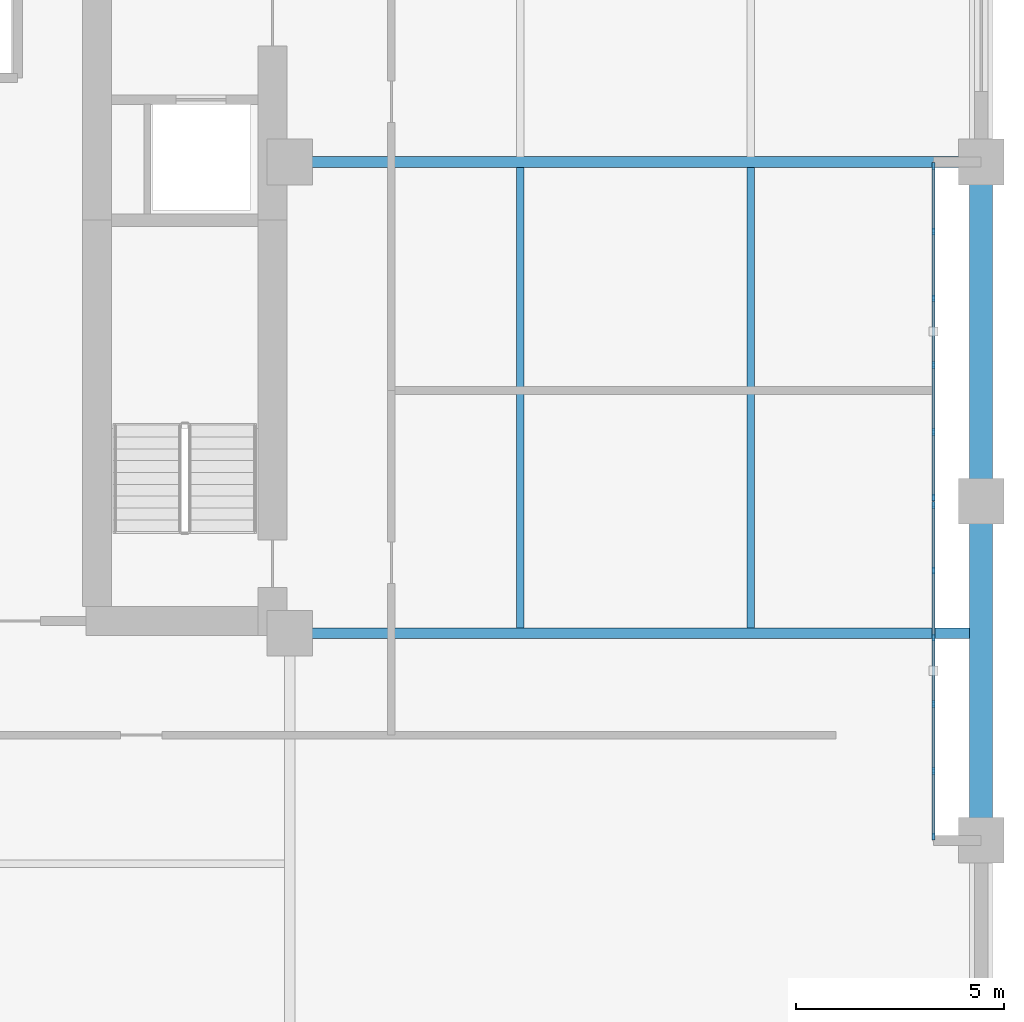
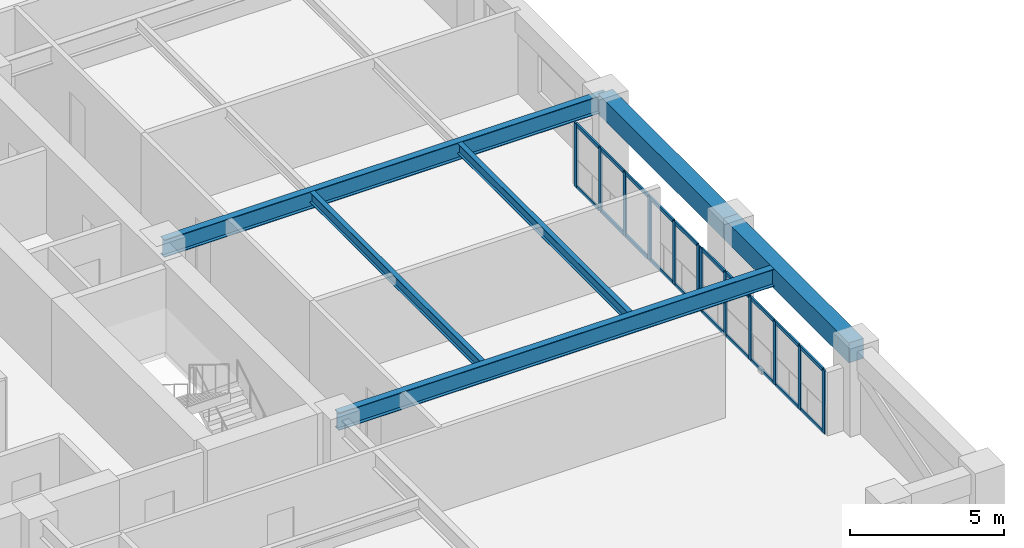
# One storey, part 2 of 10: 32 members, 6 beams, 2 elements without a shape of their own.
"""IFC4 building model written with IfcOpenShell, lengths in metres."""

from ifc_helpers import new_model, si_unit, direction, frame, origin, origin_2d, place, context, subcontext, project, spatial, rectangle, i_section, extrude, material, layer, layer_set, material_profile, profile_set, type_object, element, aggregate, save


model = new_model("IFC4")

# Units and contexts
model_context = context("Model", 3, precision=1e-05, world=origin(), true_north=direction((0.0, 1.0)))
body_context = subcontext(model_context, "Body", "Model", "MODEL_VIEW")
ifc_project = project(units=[si_unit("LENGTHUNIT", "METRE"), si_unit("AREAUNIT", "SQUARE_METRE"), si_unit("VOLUMEUNIT", "CUBIC_METRE"), si_unit("PLANEANGLEUNIT", "RADIAN"), si_unit("MASSUNIT", "GRAM", prefix="KILO")], contexts=[model_context])

# Site, building, storey
site_placement = place(None, origin())
site = spatial("IfcSite", under=ifc_project, at=site_placement, CompositionType="ELEMENT")
building_placement = place(site_placement, origin())
building = spatial("IfcBuilding", under=site, at=building_placement, Name="Nhamokura Convention Tower", CompositionType="ELEMENT")
storey_placement = place(building_placement, frame((0.0, 0.0, 89.25)))
storey = spatial("IfcBuildingStorey", under=building, at=storey_placement, Name="L21", CompositionType="ELEMENT", Elevation=89.25)

# Curtain wall, members
ifc_material_1 = material(Name="Anodised bronze aluminium AA6063-T6", Category="aluminium")
ifc_layer = layer(ifc_material_1, 0.1650390625)
ifc_layer_set = layer_set([ifc_layer], Name="CWSystem_ScaleSlot_Zone1")
curtain_wall_type = type_object("IfcCurtainWallType", Name="CWSystem_ScaleSlot_Zone1", PredefinedType="NOTDEFINED", material=ifc_layer_set)
curtain_wall_1_placement = place(storey_placement, origin())
curtain_wall_1 = element("IfcCurtainWall", 1, at=curtain_wall_1_placement, inside=storey, type_object=curtain_wall_type, Name="L21 Curtain Wall ENV-L21-SLOT-E1", PredefinedType="NOTDEFINED")
ifc_material_2 = material(Name="Anodised bronze aluminium AA6063-T6", Category="aluminium")
ifc_material_profile_1 = material_profile(ifc_material_2, rectangle(XDim=0.06494140625, YDim=0.1650390625, at=origin_2d()))
ifc_profile_set_1 = profile_set([ifc_material_profile_1], Name="Anodised bronze aluminium AA6063-T6")
member_type_1 = type_object("IfcMemberType", Name="CWMullion_3", PredefinedType="MULLION", material=ifc_profile_set_1)
member_1_placement = place(storey_placement, frame((58.85009765625, 23.74072265625, 0.0), z_axis=(0.0, 0.0, 1.0), x_axis=(1.0, 0.0, 0.0)))
member_1 = element("IfcMember", 2, at=member_1_placement, type_object=member_type_1, Name="CW-03 mullion 1", PredefinedType="MULLION", context=body_context, shape_type="SweptSolid", body=[
    extrude(rectangle(XDim=0.06494140625, YDim=0.1650390625, at=origin_2d()), origin(), (0.0, 0.0, 1.0), 2.52001953125),
])
member_2_placement = place(storey_placement, frame((58.85009765625, 22.1640625, 0.0), z_axis=(0.0, 0.0, 1.0), x_axis=(1.0, 0.0, 0.0)))
member_2 = element("IfcMember", 3, at=member_2_placement, type_object=member_type_1, Name="CW-03 mullion 2", PredefinedType="MULLION", context=body_context, shape_type="SweptSolid", body=[
    extrude(rectangle(XDim=0.06494140625, YDim=0.1650390625, at=origin_2d()), origin(), (0.0, 0.0, 1.0), 2.52001953125),
])
member_3_placement = place(storey_placement, frame((58.85009765625, 20.5546875, 0.0), z_axis=(0.0, 0.0, 1.0), x_axis=(1.0, 0.0, 0.0)))
member_3 = element("IfcMember", 4, at=member_3_placement, type_object=member_type_1, Name="CW-03 mullion 3", PredefinedType="MULLION", context=body_context, shape_type="SweptSolid", body=[
    extrude(rectangle(XDim=0.06494140625, YDim=0.1650390625, at=origin_2d()), origin(), (0.0, 0.0, 1.0), 2.52001953125),
])
member_4_placement = place(storey_placement, frame((58.85009765625, 18.9453125, 0.0), z_axis=(0.0, 0.0, 1.0), x_axis=(1.0, 0.0, 0.0)))
member_4 = element("IfcMember", 5, at=member_4_placement, type_object=member_type_1, Name="CW-03 mullion 4", PredefinedType="MULLION", context=body_context, shape_type="SweptSolid", body=[
    extrude(rectangle(XDim=0.06494140625, YDim=0.1650390625, at=origin_2d()), origin(), (0.0, 0.0, 1.0), 2.52001953125),
])
member_5_placement = place(storey_placement, frame((58.85009765625, 17.3359375, 0.0), z_axis=(0.0, 0.0, 1.0), x_axis=(1.0, 0.0, 0.0)))
member_5 = element("IfcMember", 6, at=member_5_placement, type_object=member_type_1, Name="CW-03 mullion 5", PredefinedType="MULLION", context=body_context, shape_type="SweptSolid", body=[
    extrude(rectangle(XDim=0.06494140625, YDim=0.1650390625, at=origin_2d()), origin(), (0.0, 0.0, 1.0), 2.52001953125),
])
member_6_placement = place(storey_placement, frame((58.85009765625, 15.75927734375, 0.0), z_axis=(0.0, 0.0, 1.0), x_axis=(1.0, 0.0, 0.0)))
member_6 = element("IfcMember", 7, at=member_6_placement, type_object=member_type_1, Name="CW-03 mullion 6", PredefinedType="MULLION", context=body_context, shape_type="SweptSolid", body=[
    extrude(rectangle(XDim=0.06494140625, YDim=0.1650390625, at=origin_2d()), origin(), (0.0, 0.0, 1.0), 2.52001953125),
])

curtain_wall_2_placement = place(storey_placement, origin())
curtain_wall_2 = element("IfcCurtainWall", 8, at=curtain_wall_2_placement, inside=storey, type_object=curtain_wall_type, Name="L21 Curtain Wall ENV-L21-SLOT-E2", PredefinedType="NOTDEFINED")
member_7_placement = place(storey_placement, frame((58.85009765625, 31.907470703125, 0.0), z_axis=(0.0, 0.0, 1.0), x_axis=(1.0, 0.0, 0.0)))
member_7 = element("IfcMember", 9, at=member_7_placement, type_object=member_type_1, Name="CW-03 mullion 1", PredefinedType="MULLION", context=body_context, shape_type="SweptSolid", body=[
    extrude(rectangle(XDim=0.06494140625, YDim=0.1650390625, at=origin_2d()), origin(), (0.0, 0.0, 1.0), 2.52001953125),
])
member_8_placement = place(storey_placement, frame((58.85009765625, 30.33056640625, 0.0), z_axis=(0.0, 0.0, 1.0), x_axis=(1.0, 0.0, 0.0)))
member_8 = element("IfcMember", 10, at=member_8_placement, type_object=member_type_1, Name="CW-03 mullion 2", PredefinedType="MULLION", context=body_context, shape_type="SweptSolid", body=[
    extrude(rectangle(XDim=0.06494140625, YDim=0.1650390625, at=origin_2d()), origin(), (0.0, 0.0, 1.0), 2.52001953125),
])
member_9_placement = place(storey_placement, frame((58.85009765625, 28.721435546875, 0.0), z_axis=(0.0, 0.0, 1.0), x_axis=(1.0, 0.0, 0.0)))
member_9 = element("IfcMember", 11, at=member_9_placement, type_object=member_type_1, Name="CW-03 mullion 3", PredefinedType="MULLION", context=body_context, shape_type="SweptSolid", body=[
    extrude(rectangle(XDim=0.06494140625, YDim=0.1650390625, at=origin_2d()), origin(), (0.0, 0.0, 1.0), 2.52001953125),
])
member_10_placement = place(storey_placement, frame((58.85009765625, 27.112060546875, 0.0), z_axis=(0.0, 0.0, 1.0), x_axis=(1.0, 0.0, 0.0)))
member_10 = element("IfcMember", 12, at=member_10_placement, type_object=member_type_1, Name="CW-03 mullion 4", PredefinedType="MULLION", context=body_context, shape_type="SweptSolid", body=[
    extrude(rectangle(XDim=0.06494140625, YDim=0.1650390625, at=origin_2d()), origin(), (0.0, 0.0, 1.0), 2.52001953125),
])
member_11_placement = place(storey_placement, frame((58.85009765625, 25.502685546875, 0.0), z_axis=(0.0, 0.0, 1.0), x_axis=(1.0, 0.0, 0.0)))
member_11 = element("IfcMember", 13, at=member_11_placement, type_object=member_type_1, Name="CW-03 mullion 5", PredefinedType="MULLION", context=body_context, shape_type="SweptSolid", body=[
    extrude(rectangle(XDim=0.06494140625, YDim=0.1650390625, at=origin_2d()), origin(), (0.0, 0.0, 1.0), 2.52001953125),
])
member_12_placement = place(storey_placement, frame((58.85009765625, 23.92578125, 0.0), z_axis=(0.0, 0.0, 1.0), x_axis=(1.0, 0.0, 0.0)))
member_12 = element("IfcMember", 14, at=member_12_placement, type_object=member_type_1, Name="CW-03 mullion 6", PredefinedType="MULLION", context=body_context, shape_type="SweptSolid", body=[
    extrude(rectangle(XDim=0.06494140625, YDim=0.1650390625, at=origin_2d()), origin(), (0.0, 0.0, 1.0), 2.52001953125),
])

# Member
ifc_material_3 = material(Name="Anodised bronze aluminium AA6063-T6", Category="aluminium")
ifc_material_profile_2 = material_profile(ifc_material_3, rectangle(XDim=0.06494140625, YDim=0.139892578125, at=origin_2d()))
ifc_profile_set_2 = profile_set([ifc_material_profile_2], Name="Anodised bronze aluminium AA6063-T6")
member_type_2 = type_object("IfcMemberType", Name="CWTransom_3", PredefinedType="USERDEFINED", material=ifc_profile_set_2)
member_13_placement = place(storey_placement, frame((58.85009765625, 23.708251953125, 0.032470703125), z_axis=(0.0, -1.0, 0.0), x_axis=(1.0, 0.0, 0.0)))
member_13 = element("IfcMember", 15, at=member_13_placement, type_object=member_type_2, Name="CW-03 transom 1.1", ObjectType="TRANSOM", PredefinedType="USERDEFINED", context=body_context, shape_type="SweptSolid", body=[
    extrude(rectangle(XDim=0.06494140625, YDim=0.139892578125, at=origin_2d()), origin(), (0.0, 0.0, 1.0), 1.51171875),
])

member_14_placement = place(storey_placement, frame((58.85009765625, 23.708251953125, 2.487548828125), z_axis=(0.0, -1.0, 0.0), x_axis=(1.0, 0.0, 0.0)))
member_14 = element("IfcMember", 16, at=member_14_placement, type_object=member_type_2, Name="CW-03 transom 1.2", ObjectType="TRANSOM", PredefinedType="USERDEFINED", context=body_context, shape_type="SweptSolid", body=[
    extrude(rectangle(XDim=0.06494140625, YDim=0.139892578125, at=origin_2d()), origin(), (0.0, 0.0, 1.0), 1.51171875),
])

member_15_placement = place(storey_placement, frame((58.85009765625, 22.131591796875, 0.032470703125), z_axis=(0.0, -1.0, 0.0), x_axis=(1.0, 0.0, 0.0)))
member_15 = element("IfcMember", 17, at=member_15_placement, type_object=member_type_2, Name="CW-03 transom 2.1", ObjectType="TRANSOM", PredefinedType="USERDEFINED", context=body_context, shape_type="SweptSolid", body=[
    extrude(rectangle(XDim=0.06494140625, YDim=0.139892578125, at=origin_2d()), origin(), (0.0, 0.0, 1.0), 1.54443359375),
])

member_16_placement = place(storey_placement, frame((58.85009765625, 22.131591796875, 2.487548828125), z_axis=(0.0, -1.0, 0.0), x_axis=(1.0, 0.0, 0.0)))
member_16 = element("IfcMember", 18, at=member_16_placement, type_object=member_type_2, Name="CW-03 transom 2.2", ObjectType="TRANSOM", PredefinedType="USERDEFINED", context=body_context, shape_type="SweptSolid", body=[
    extrude(rectangle(XDim=0.06494140625, YDim=0.139892578125, at=origin_2d()), origin(), (0.0, 0.0, 1.0), 1.54443359375),
])

member_17_placement = place(storey_placement, frame((58.85009765625, 20.522216796875, 0.032470703125), z_axis=(0.0, -1.0, 0.0), x_axis=(1.0, 0.0, 0.0)))
member_17 = element("IfcMember", 19, at=member_17_placement, type_object=member_type_2, Name="CW-03 transom 3.1", ObjectType="TRANSOM", PredefinedType="USERDEFINED", context=body_context, shape_type="SweptSolid", body=[
    extrude(rectangle(XDim=0.06494140625, YDim=0.139892578125, at=origin_2d()), origin(), (0.0, 0.0, 1.0), 1.54443359375),
])

member_18_placement = place(storey_placement, frame((58.85009765625, 20.522216796875, 2.487548828125), z_axis=(0.0, -1.0, 0.0), x_axis=(1.0, 0.0, 0.0)))
member_18 = element("IfcMember", 20, at=member_18_placement, type_object=member_type_2, Name="CW-03 transom 3.2", ObjectType="TRANSOM", PredefinedType="USERDEFINED", context=body_context, shape_type="SweptSolid", body=[
    extrude(rectangle(XDim=0.06494140625, YDim=0.139892578125, at=origin_2d()), origin(), (0.0, 0.0, 1.0), 1.54443359375),
])

member_19_placement = place(storey_placement, frame((58.85009765625, 18.912841796875, 0.032470703125), z_axis=(0.0, -1.0, 0.0), x_axis=(1.0, 0.0, 0.0)))
member_19 = element("IfcMember", 21, at=member_19_placement, type_object=member_type_2, Name="CW-03 transom 4.1", ObjectType="TRANSOM", PredefinedType="USERDEFINED", context=body_context, shape_type="SweptSolid", body=[
    extrude(rectangle(XDim=0.06494140625, YDim=0.139892578125, at=origin_2d()), origin(), (0.0, 0.0, 1.0), 1.54443359375),
])

member_20_placement = place(storey_placement, frame((58.85009765625, 18.912841796875, 2.487548828125), z_axis=(0.0, -1.0, 0.0), x_axis=(1.0, 0.0, 0.0)))
member_20 = element("IfcMember", 22, at=member_20_placement, type_object=member_type_2, Name="CW-03 transom 4.2", ObjectType="TRANSOM", PredefinedType="USERDEFINED", context=body_context, shape_type="SweptSolid", body=[
    extrude(rectangle(XDim=0.06494140625, YDim=0.139892578125, at=origin_2d()), origin(), (0.0, 0.0, 1.0), 1.54443359375),
])

member_21_placement = place(storey_placement, frame((58.85009765625, 17.303466796875, 0.032470703125), z_axis=(0.0, -1.0, 0.0), x_axis=(1.0, 0.0, 0.0)))
member_21 = element("IfcMember", 23, at=member_21_placement, type_object=member_type_2, Name="CW-03 transom 5.1", ObjectType="TRANSOM", PredefinedType="USERDEFINED", context=body_context, shape_type="SweptSolid", body=[
    extrude(rectangle(XDim=0.06494140625, YDim=0.139892578125, at=origin_2d()), origin(), (0.0, 0.0, 1.0), 1.51171875),
])

member_22_placement = place(storey_placement, frame((58.85009765625, 17.303466796875, 2.487548828125), z_axis=(0.0, -1.0, 0.0), x_axis=(1.0, 0.0, 0.0)))
member_22 = element("IfcMember", 24, at=member_22_placement, type_object=member_type_2, Name="CW-03 transom 5.2", ObjectType="TRANSOM", PredefinedType="USERDEFINED", context=body_context, shape_type="SweptSolid", body=[
    extrude(rectangle(XDim=0.06494140625, YDim=0.139892578125, at=origin_2d()), origin(), (0.0, 0.0, 1.0), 1.51171875),
])

aggregate(curtain_wall_1, [member_1, member_2, member_3, member_4, member_5, member_6, member_13, member_14, member_15, member_16, member_17, member_18, member_19, member_20, member_21, member_22])

member_23_placement = place(storey_placement, frame((58.85009765625, 31.875, 0.032470703125), z_axis=(0.0, -1.0, 0.0), x_axis=(1.0, 0.0, 0.0)))
member_23 = element("IfcMember", 25, at=member_23_placement, type_object=member_type_2, Name="CW-03 transom 1.1", ObjectType="TRANSOM", PredefinedType="USERDEFINED", context=body_context, shape_type="SweptSolid", body=[
    extrude(rectangle(XDim=0.06494140625, YDim=0.139892578125, at=origin_2d()), origin(), (0.0, 0.0, 1.0), 1.51171875),
])

member_24_placement = place(storey_placement, frame((58.85009765625, 31.875, 2.487548828125), z_axis=(0.0, -1.0, 0.0), x_axis=(1.0, 0.0, 0.0)))
member_24 = element("IfcMember", 26, at=member_24_placement, type_object=member_type_2, Name="CW-03 transom 1.2", ObjectType="TRANSOM", PredefinedType="USERDEFINED", context=body_context, shape_type="SweptSolid", body=[
    extrude(rectangle(XDim=0.06494140625, YDim=0.139892578125, at=origin_2d()), origin(), (0.0, 0.0, 1.0), 1.51171875),
])

member_25_placement = place(storey_placement, frame((58.85009765625, 30.298095703125, 0.032470703125), z_axis=(0.0, -1.0, 0.0), x_axis=(1.0, 0.0, 0.0)))
member_25 = element("IfcMember", 27, at=member_25_placement, type_object=member_type_2, Name="CW-03 transom 2.1", ObjectType="TRANSOM", PredefinedType="USERDEFINED", context=body_context, shape_type="SweptSolid", body=[
    extrude(rectangle(XDim=0.06494140625, YDim=0.139892578125, at=origin_2d()), origin(), (0.0, 0.0, 1.0), 1.544189453125),
])

member_26_placement = place(storey_placement, frame((58.85009765625, 30.298095703125, 2.487548828125), z_axis=(0.0, -1.0, 0.0), x_axis=(1.0, 0.0, 0.0)))
member_26 = element("IfcMember", 28, at=member_26_placement, type_object=member_type_2, Name="CW-03 transom 2.2", ObjectType="TRANSOM", PredefinedType="USERDEFINED", context=body_context, shape_type="SweptSolid", body=[
    extrude(rectangle(XDim=0.06494140625, YDim=0.139892578125, at=origin_2d()), origin(), (0.0, 0.0, 1.0), 1.544189453125),
])

member_27_placement = place(storey_placement, frame((58.85009765625, 28.688720703125, 0.032470703125), z_axis=(0.0, -1.0, 0.0), x_axis=(1.0, 0.0, 0.0)))
member_27 = element("IfcMember", 29, at=member_27_placement, type_object=member_type_2, Name="CW-03 transom 3.1", ObjectType="TRANSOM", PredefinedType="USERDEFINED", context=body_context, shape_type="SweptSolid", body=[
    extrude(rectangle(XDim=0.06494140625, YDim=0.139892578125, at=origin_2d()), origin(), (0.0, 0.0, 1.0), 1.544189453125),
])

member_28_placement = place(storey_placement, frame((58.85009765625, 28.688720703125, 2.487548828125), z_axis=(0.0, -1.0, 0.0), x_axis=(1.0, 0.0, 0.0)))
member_28 = element("IfcMember", 30, at=member_28_placement, type_object=member_type_2, Name="CW-03 transom 3.2", ObjectType="TRANSOM", PredefinedType="USERDEFINED", context=body_context, shape_type="SweptSolid", body=[
    extrude(rectangle(XDim=0.06494140625, YDim=0.139892578125, at=origin_2d()), origin(), (0.0, 0.0, 1.0), 1.544189453125),
])

member_29_placement = place(storey_placement, frame((58.85009765625, 27.07958984375, 0.032470703125), z_axis=(0.0, -1.0, 0.0), x_axis=(1.0, 0.0, 0.0)))
member_29 = element("IfcMember", 31, at=member_29_placement, type_object=member_type_2, Name="CW-03 transom 4.1", ObjectType="TRANSOM", PredefinedType="USERDEFINED", context=body_context, shape_type="SweptSolid", body=[
    extrude(rectangle(XDim=0.06494140625, YDim=0.139892578125, at=origin_2d()), origin(), (0.0, 0.0, 1.0), 1.54443359375),
])

member_30_placement = place(storey_placement, frame((58.85009765625, 27.07958984375, 2.487548828125), z_axis=(0.0, -1.0, 0.0), x_axis=(1.0, 0.0, 0.0)))
member_30 = element("IfcMember", 32, at=member_30_placement, type_object=member_type_2, Name="CW-03 transom 4.2", ObjectType="TRANSOM", PredefinedType="USERDEFINED", context=body_context, shape_type="SweptSolid", body=[
    extrude(rectangle(XDim=0.06494140625, YDim=0.139892578125, at=origin_2d()), origin(), (0.0, 0.0, 1.0), 1.54443359375),
])

member_31_placement = place(storey_placement, frame((58.85009765625, 25.47021484375, 0.032470703125), z_axis=(0.0, -1.0, 0.0), x_axis=(1.0, 0.0, 0.0)))
member_31 = element("IfcMember", 33, at=member_31_placement, type_object=member_type_2, Name="CW-03 transom 5.1", ObjectType="TRANSOM", PredefinedType="USERDEFINED", context=body_context, shape_type="SweptSolid", body=[
    extrude(rectangle(XDim=0.06494140625, YDim=0.139892578125, at=origin_2d()), origin(), (0.0, 0.0, 1.0), 1.511962890625),
])

member_32_placement = place(storey_placement, frame((58.85009765625, 25.47021484375, 2.487548828125), z_axis=(0.0, -1.0, 0.0), x_axis=(1.0, 0.0, 0.0)))
member_32 = element("IfcMember", 34, at=member_32_placement, type_object=member_type_2, Name="CW-03 transom 5.2", ObjectType="TRANSOM", PredefinedType="USERDEFINED", context=body_context, shape_type="SweptSolid", body=[
    extrude(rectangle(XDim=0.06494140625, YDim=0.139892578125, at=origin_2d()), origin(), (0.0, 0.0, 1.0), 1.511962890625),
])

aggregate(curtain_wall_2, [member_7, member_8, member_9, member_10, member_11, member_12, member_23, member_24, member_25, member_26, member_27, member_28, member_29, member_30, member_31, member_32])

# Beams
ifc_material_4 = material(Name="Steel ASTM A992 Gr 50", Category="steel")
ifc_material_profile_3 = material_profile(ifc_material_4, i_section(OverallWidth=0.178955078125, OverallDepth=0.409912109375, WebThickness=0.0087890625, FlangeThickness=0.014404296875, at=origin_2d()))
ifc_profile_set_3 = profile_set([ifc_material_profile_3], Name="Steel ASTM A992 Gr 50")
beam_type_1 = type_object("IfcBeamType", Name="FloorJoist_W410X67", PredefinedType="JOIST", material=ifc_profile_set_3)
for number, where, z_axis, x_axis, name in (
    (35, (48.89990234375, 20.77587890625, 3.114990234375), (0.0, 1.0, 0.0), (-1.0, 0.0, 0.0), "L21 Composite Floor Joist E1A"),
    (36, (54.449951171875, 20.77587890625, 3.114990234375), (0.0, 1.0, 0.0), (-1.0, 0.0, 0.0), "L21 Composite Floor Joist E2A"),
):
    element("IfcBeam", number, at=place(storey_placement, frame(where, z_axis=z_axis, x_axis=x_axis)), inside=storey, type_object=beam_type_1, Name=name, PredefinedType="JOIST", context=body_context, shape_type="SweptSolid", body=[
        extrude(i_section(OverallWidth=0.178955078125, OverallDepth=0.409912109375, WebThickness=0.0087890625, FlangeThickness=0.014404296875, at=origin_2d()), origin(), (0.0, 0.0, 1.0), 11.09814453125),
    ])
ifc_material_5 = material(Name="Steel ASTM A992 Gr 50", Category="steel")
ifc_material_profile_4 = material_profile(ifc_material_5, i_section(OverallWidth=0.256103515625, OverallDepth=0.693115234375, WebThickness=0.014404296875, FlangeThickness=0.023681640625, at=origin_2d()))
ifc_profile_set_4 = profile_set([ifc_material_profile_4], Name="Steel ASTM A992 Gr 50")
beam_type_2 = type_object("IfcBeamType", Name="PrimaryGirder_W690X170", PredefinedType="BEAM", material=ifc_profile_set_4)
for number, where, z_axis, x_axis, name in (
    (37, (43.35009765625, 20.64990234375, 2.973388671875), (1.0, 0.0, 0.0), (0.0, 1.0, 0.0), "L21 Primary Floor Girder PG-E1"),
    (38, (43.35009765625, 32.0, 2.973388671875), (1.0, 0.0, 0.0), (0.0, 1.0, 0.0), "L21 Primary Floor Girder PG-E2"),
):
    element("IfcBeam", number, at=place(storey_placement, frame(where, z_axis=z_axis, x_axis=x_axis)), inside=storey, type_object=beam_type_2, Name=name, PredefinedType="BEAM", context=body_context, shape_type="SweptSolid", body=[
        extrude(i_section(OverallWidth=0.256103515625, OverallDepth=0.693115234375, WebThickness=0.014404296875, FlangeThickness=0.023681640625, at=origin_2d()), origin(), (0.0, 0.0, 1.0), 16.64990234375),
    ])
ifc_material_6 = material(Name="Concrete C50/60", Category="concrete")
ifc_material_profile_5 = material_profile(ifc_material_6, rectangle(XDim=0.550048828125, YDim=0.800048828125, at=origin_2d()))
ifc_profile_set_5 = profile_set([ifc_material_profile_5], Name="Concrete C50/60")
beam_type_3 = type_object("IfcBeamType", Name="TubeSpandrel_800", PredefinedType="SPANDREL", material=ifc_profile_set_5)
beam_1_placement = place(storey_placement, frame((60.0, 15.666748046875, 2.919921875), z_axis=(0.0, 1.0, 0.0), x_axis=(-1.0, 0.0, 0.0)))
element("IfcBeam", 39, at=beam_1_placement, inside=storey, type_object=beam_type_3, Name="L21 Perimeter Spandrel EAST 2", PredefinedType="SPANDREL", context=body_context, shape_type="SweptSolid", body=[
    extrude(rectangle(XDim=0.550048828125, YDim=0.800048828125, at=origin_2d()), origin(), (0.0, 0.0, 1.0), 8.16650390625),
])
beam_2_placement = place(storey_placement, frame((60.0, 23.833251953125, 2.919921875), z_axis=(0.0, 1.0, 0.0), x_axis=(-1.0, 0.0, 0.0)))
element("IfcBeam", 40, at=beam_2_placement, inside=storey, type_object=beam_type_3, Name="L21 Perimeter Spandrel EAST 3", PredefinedType="SPANDREL", context=body_context, shape_type="SweptSolid", body=[
    extrude(rectangle(XDim=0.550048828125, YDim=0.800048828125, at=origin_2d()), origin(), (0.0, 0.0, 1.0), 8.166748046875),
])

save(model, "model.ifc")
